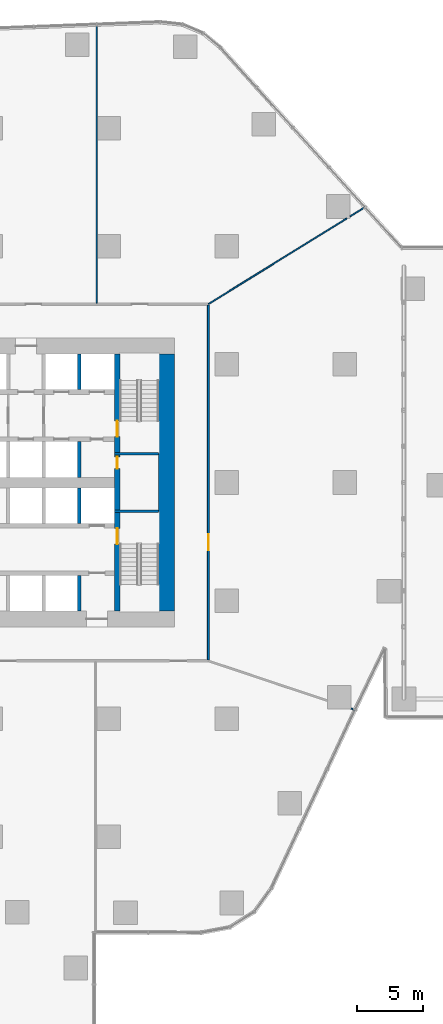
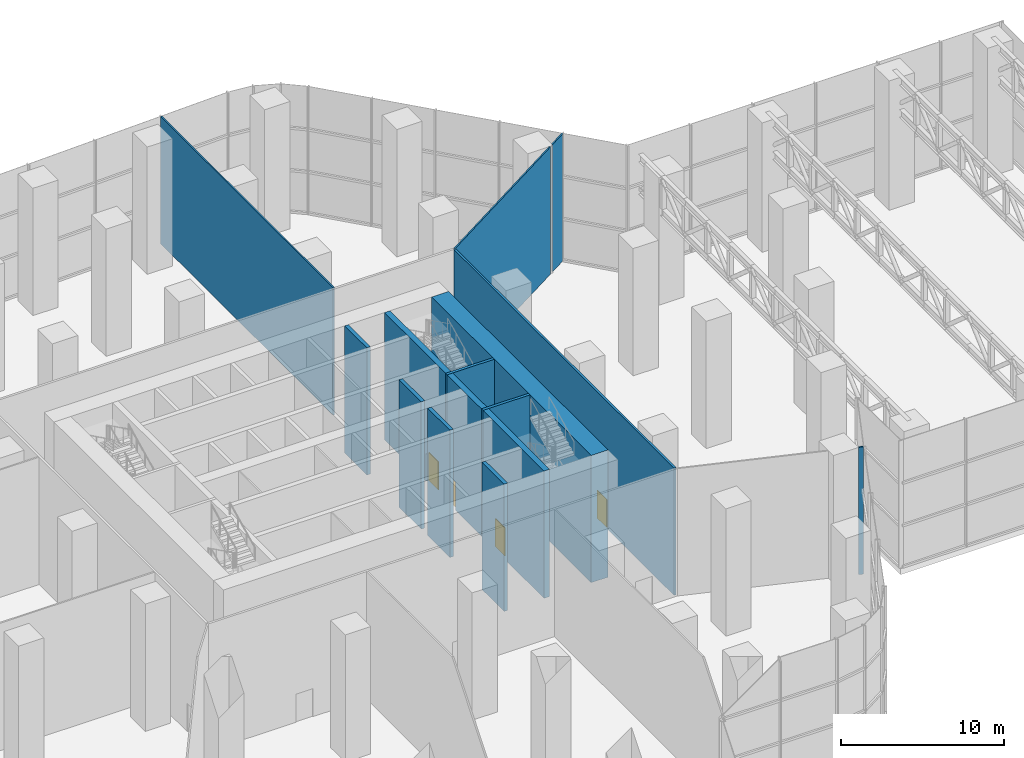
# One storey, part 18 of 21: 15 walls, 4 doors, 4 openings.
"""IFC4 building model written with IfcOpenShell, lengths in metres."""

from ifc_helpers import new_model, si_unit, direction, frame, frame_2d, origin, place, context, subcontext, project, spatial, rectangle, extrude, material, layer, layer_set, type_object, element, fill, save


model = new_model("IFC4")

# Units and contexts
model_context = context("Model", 3, precision=1e-05, world=origin(), true_north=direction((0.0, 1.0)))
body_context = subcontext(model_context, "Body", "Model", "MODEL_VIEW")
ifc_project = project(units=[si_unit("LENGTHUNIT", "METRE"), si_unit("AREAUNIT", "SQUARE_METRE"), si_unit("VOLUMEUNIT", "CUBIC_METRE"), si_unit("PLANEANGLEUNIT", "RADIAN"), si_unit("MASSUNIT", "GRAM", prefix="KILO")], contexts=[model_context])

# Site, building, storey
site_placement = place(None, origin())
site = spatial("IfcSite", under=ifc_project, at=site_placement, CompositionType="ELEMENT")
building_placement = place(site_placement, origin())
building = spatial("IfcBuilding", under=site, at=building_placement, Name="Dongbaek Canopy Tower", CompositionType="ELEMENT")
storey_placement = place(building_placement, frame((0.0, 0.0, 9.0)))
storey = spatial("IfcBuildingStorey", under=building, at=storey_placement, Name="L01", CompositionType="ELEMENT", Elevation=9.0)

# Wall
ifc_material_1 = material(Name="Concrete C60/75", Category="concrete")
ifc_layer_1 = layer(ifc_material_1, 1.199951171875)
ifc_layer_set_1 = layer_set([ifc_layer_1], Name="Core outer wall 1200 Concrete C60/75")
wall_type_1 = type_object("IfcWallType", Name="Core outer wall 1200 Concrete C60/75", PredefinedType="SHEAR", material=ifc_layer_set_1)
wall_1_placement = place(storey_placement, frame((13.39990234375, 9.800048828125, 0.0), z_axis=(0.0, 0.0, 1.0), x_axis=(0.0, -1.0, 0.0)))
element("IfcWall", 1, at=wall_1_placement, inside=storey, type_object=wall_type_1, Name="Core wall", PredefinedType="SHEAR", context=body_context, shape_type="SweptSolid", body=[
    extrude(rectangle(XDim=19.60009765625, YDim=1.199951171875, at=frame_2d((9.800048828125, 0.0))), origin(), (0.0, 0.0, 1.0), 9.550048828125),
])

# Wall, opening, door
ifc_material_2 = material(Name="Gypsum board partition, steel stud, 2 x 15 mm fire board", Category="steel")
ifc_layer_2 = layer(ifc_material_2, 0.14990234375)
ifc_layer_set_2 = layer_set([ifc_layer_2], Name="Fire-rated partition 150 gypsum board")
wall_type_2 = type_object("IfcWallType", Name="Fire-rated partition 150 gypsum board", PredefinedType="PARTITIONING", material=ifc_layer_set_2)
wall_2_placement = place(storey_placement, frame((16.60009765625, 13.52490234375, 0.0), z_axis=(0.0, 0.0, 1.0), x_axis=(0.0, -1.0, 0.0)))
wall_2 = element("IfcWall", 2, at=wall_2_placement, inside=storey, type_object=wall_type_2, Name="Corridor partition", PredefinedType="PARTITIONING", context=body_context, shape_type="SweptSolid", body=[
    extrude(rectangle(XDim=27.0498046875, YDim=0.14990234375, at=frame_2d((13.52490234375, 0.0))), origin(), (0.0, 0.0, 1.0), 9.550048828125),
])
opening_1_placement = place(wall_2_placement, frame((17.482177734375, 0.0, 0.0)))
opening_1 = element("IfcOpeningElement", 3, at=opening_1_placement, cuts=wall_2, Name="Opening L01-D006", PredefinedType="OPENING", context=body_context, shape_type="SweptSolid", body=[
    extrude(rectangle(XDim=1.199951171875, YDim=2.10009765625, at=frame_2d((0.60009765625, 1.050048828125))), frame((0.0, 0.0849609375, 0.0), z_axis=(0.0, -1.0, 0.0), x_axis=(1.0, 0.0, 0.0)), (0.0, 0.0, 1.0), 0.169921875),
])
ifc_material_3 = material(Name="Timber veneered door leaf", Category="wood")
door_type_1 = type_object("IfcDoorType", Name="Room door 1200 x 2100", OperationType="SINGLE_SWING_LEFT", PredefinedType="DOOR", material=ifc_material_3)
door_1_placement = place(opening_1_placement, origin())
door_1 = element("IfcDoor", 4, at=door_1_placement, inside=storey, type_object=door_type_1, Name="Door L01-D006", OperationType="SINGLE_SWING_LEFT", OverallHeight=2.10009765625, OverallWidth=1.199951171875, PredefinedType="DOOR", context=body_context, shape_type="SweptSolid", body=[
    extrude(rectangle(XDim=1.199951171875, YDim=2.10009765625, at=frame_2d((0.60009765625, 1.050048828125))), frame((0.0, 0.02490234375, 0.0), z_axis=(0.0, -1.0, 0.0), x_axis=(1.0, 0.0, 0.0)), (0.0, 0.0, 1.0), 0.050048828125),
])
fill(opening_1, door_1)

# Walls
ifc_material_4 = material(Name="Concrete C40/50", Category="concrete")
ifc_layer_3 = layer(ifc_material_4, 0.25)
ifc_layer_set_3 = layer_set([ifc_layer_3], Name="Lift shaft wall 250 Concrete C40/50")
wall_type_3 = type_object("IfcWallType", Name="Lift shaft wall 250 Concrete C40/50", PredefinedType="SOLIDWALL", material=ifc_layer_set_3)
for number, where, z_axis, x_axis, name in (
    (5, (6.75, -9.800048828125, 0.0), (0.0, 0.0, 1.0), (0.0, 1.0, 0.0), "Lift shaft wall"),
    (6, (6.75, -3.125, 0.0), (0.0, 0.0, 1.0), (0.0, 1.0, 0.0), "Lift shaft wall"),
    (7, (6.75, 0.39990234375, 0.0), (0.0, 0.0, 1.0), (0.0, 1.0, 0.0), "Lift shaft wall"),
    (8, (6.75, 7.074951171875, 0.0), (0.0, 0.0, 1.0), (0.0, 1.0, 0.0), "Lift shaft wall"),
):
    element("IfcWall", number, at=place(storey_placement, frame(where, z_axis=z_axis, x_axis=x_axis)), inside=storey, type_object=wall_type_3, Name=name, PredefinedType="SOLIDWALL", context=body_context, shape_type="SweptSolid", body=[
        extrude(rectangle(XDim=2.72509765625, YDim=0.25, at=frame_2d((1.362548828125, 0.0))), origin(), (0.0, 0.0, 1.0), 9.550048828125),
    ])
ifc_material_5 = material(Name="Gypsum board partition, steel stud, 2 x 12.5 mm board", Category="steel")
ifc_layer_4 = layer(ifc_material_5, 0.10009765625)
ifc_layer_set_4 = layer_set([ifc_layer_4], Name="Partition 100 gypsum board")
wall_type_4 = type_object("IfcWallType", Name="Partition 100 gypsum board", PredefinedType="PARTITIONING", material=ifc_layer_set_4)
wall_3_placement = place(storey_placement, frame((16.60009765625, 13.60009765625, 0.0), z_axis=(0.0, 0.0, 1.0), x_axis=(0.850261790898, 0.526360035469, 0.0)))
element("IfcWall", 9, at=wall_3_placement, inside=storey, type_object=wall_type_4, Name="Partition", PredefinedType="PARTITIONING", context=body_context, shape_type="SweptSolid", body=[
    extrude(rectangle(XDim=12.40380859375, YDim=0.10009765625, at=frame_2d((6.201904296875, 0.0))), origin(), (0.0, 0.0, 1.0), 9.550048828125),
])
wall_4_placement = place(storey_placement, frame((27.382080078125, 20.27490234375, 0.0), z_axis=(0.0, 0.0, 1.0), x_axis=(0.850241855485, 0.526392237008, 0.0)))
element("IfcWall", 10, at=wall_4_placement, inside=storey, type_object=wall_type_4, Name="Partition", PredefinedType="PARTITIONING", context=body_context, shape_type="SweptSolid", body=[
    extrude(rectangle(XDim=1.34033203125, YDim=0.10009765625, at=frame_2d((0.670166015625, 0.0))), origin(), (0.0, 0.0, 1.0), 9.550048828125),
])
wall_5_placement = place(storey_placement, frame((8.094970703125, 13.675048828125, 0.0), z_axis=(0.0, 0.0, 1.0), x_axis=(0.0, 1.0, 0.0)))
element("IfcWall", 11, at=wall_5_placement, inside=storey, type_object=wall_type_4, Name="Partition", PredefinedType="PARTITIONING", context=body_context, shape_type="SweptSolid", body=[
    extrude(rectangle(XDim=21.212646484375, YDim=0.10009765625, at=frame_2d((10.6064453125, 0.0))), origin(), (0.0, 0.0, 1.0), 9.550048828125),
])
wall_6_placement = place(storey_placement, frame((27.47607421875, -17.223876953125, 0.0), z_axis=(0.0, 0.0, 1.0), x_axis=(0.948845092647, -0.31574196769, 0.0)))
element("IfcWall", 12, at=wall_6_placement, inside=storey, type_object=wall_type_4, Name="Partition", PredefinedType="PARTITIONING", context=body_context, shape_type="SweptSolid", body=[
    extrude(rectangle(XDim=0.301513671875, YDim=0.10009765625, at=frame_2d((0.15087890625, 0.0))), origin(), (0.0, 0.0, 1.0), 9.550048828125),
])
ifc_material_6 = material(Name="Concrete C60/75", Category="concrete")
ifc_layer_5 = layer(ifc_material_6, 0.199951171875)
ifc_layer_set_5 = layer_set([ifc_layer_5], Name="Riser wall 200 Concrete C60/75")
wall_type_5 = type_object("IfcWallType", Name="Riser wall 200 Concrete C60/75", PredefinedType="SHEAR", material=ifc_layer_set_5)
for number, where, z_axis, x_axis, name in (
    (13, (9.449951171875, 2.199951171875, 0.0), (0.0, 0.0, 1.0), (1.0, 0.0, 0.0), "Riser wall"),
    (14, (9.449951171875, -2.199951171875, 0.0), (0.0, 0.0, 1.0), (1.0, 0.0, 0.0), "Riser wall"),
):
    element("IfcWall", number, at=place(storey_placement, frame(where, z_axis=z_axis, x_axis=x_axis)), inside=storey, type_object=wall_type_5, Name=name, PredefinedType="SHEAR", context=body_context, shape_type="SweptSolid", body=[
        extrude(rectangle(XDim=3.35009765625, YDim=0.199951171875, at=frame_2d((1.675048828125, 0.0))), origin(), (0.0, 0.0, 1.0), 9.550048828125),
    ])

# Wall, opening, door
ifc_material_7 = material(Name="Concrete C60/75", Category="concrete")
ifc_layer_6 = layer(ifc_material_7, 0.39990234375)
ifc_layer_set_6 = layer_set([ifc_layer_6], Name="Stair wall 400 Concrete C60/75")
wall_type_6 = type_object("IfcWallType", Name="Stair wall 400 Concrete C60/75", PredefinedType="SHEAR", material=ifc_layer_set_6)
wall_7_placement = place(storey_placement, frame((9.64990234375, -2.300048828125, 0.0), z_axis=(0.0, 0.0, 1.0), x_axis=(0.0, -1.0, 0.0)))
wall_7 = element("IfcWall", 15, at=wall_7_placement, inside=storey, type_object=wall_type_6, Name="Stair wall", PredefinedType="SHEAR", context=body_context, shape_type="SweptSolid", body=[
    extrude(rectangle(XDim=7.5, YDim=0.39990234375, at=frame_2d((3.75, 0.0))), origin(), (0.0, 0.0, 1.0), 9.550048828125),
])
opening_2_placement = place(wall_7_placement, frame((1.199951171875, 0.0, 0.0)))
opening_2 = element("IfcOpeningElement", 16, at=opening_2_placement, cuts=wall_7, Name="Opening L01-D037", PredefinedType="OPENING", context=body_context, shape_type="SweptSolid", body=[
    extrude(rectangle(XDim=1.199951171875, YDim=2.10009765625, at=frame_2d((0.60009765625, 1.050048828125))), frame((0.0, 0.2099609375, 0.0), z_axis=(0.0, -1.0, 0.0), x_axis=(1.0, 0.0, 0.0)), (0.0, 0.0, 1.0), 0.419921875),
])
ifc_material_8 = material(Name="Steel", Category="steel")
door_type_2 = type_object("IfcDoorType", Name="Stair door 1200 x 2100", OperationType="SINGLE_SWING_LEFT", PredefinedType="DOOR", material=ifc_material_8)
door_2_placement = place(opening_2_placement, origin())
door_2 = element("IfcDoor", 17, at=door_2_placement, inside=storey, type_object=door_type_2, Name="Stair B door", OperationType="SINGLE_SWING_RIGHT", OverallHeight=2.10009765625, OverallWidth=1.199951171875, PredefinedType="DOOR", context=body_context, shape_type="SweptSolid", body=[
    extrude(rectangle(XDim=1.199951171875, YDim=2.10009765625, at=frame_2d((0.60009765625, 1.050048828125))), frame((0.0, 0.02490234375, 0.0), z_axis=(0.0, -1.0, 0.0), x_axis=(1.0, 0.0, 0.0)), (0.0, 0.0, 1.0), 0.050048828125),
])
fill(opening_2, door_2)

wall_8_placement = place(storey_placement, frame((9.64990234375, 2.10009765625, 0.0), z_axis=(0.0, 0.0, 1.0), x_axis=(0.0, -1.0, 0.0)))
wall_8 = element("IfcWall", 18, at=wall_8_placement, inside=storey, type_object=wall_type_6, Name="Stair wall", PredefinedType="SHEAR", context=body_context, shape_type="SweptSolid", body=[
    extrude(rectangle(XDim=4.2001953125, YDim=0.39990234375, at=frame_2d((2.10009765625, 0.0))), origin(), (0.0, 0.0, 1.0), 9.550048828125),
])
opening_3_placement = place(wall_8_placement, frame((0.14990234375, 0.0, 0.0)))
opening_3 = element("IfcOpeningElement", 19, at=opening_3_placement, cuts=wall_8, Name="Opening L01-D010", PredefinedType="OPENING", context=body_context, shape_type="SweptSolid", body=[
    extrude(rectangle(XDim=0.89990234375, YDim=2.10009765625, at=frame_2d((0.449951171875, 1.050048828125))), frame((0.0, 0.2099609375, 0.0), z_axis=(0.0, -1.0, 0.0), x_axis=(1.0, 0.0, 0.0)), (0.0, 0.0, 1.0), 0.419921875),
])
ifc_material_9 = material(Name="Steel", Category="steel")
door_type_3 = type_object("IfcDoorType", Name="Core room door 900 x 2100", OperationType="SINGLE_SWING_LEFT", PredefinedType="DOOR", material=ifc_material_9)
door_3_placement = place(opening_3_placement, origin())
door_3 = element("IfcDoor", 20, at=door_3_placement, inside=storey, type_object=door_type_3, Name="Door L01-D010", OperationType="SINGLE_SWING_RIGHT", OverallHeight=2.10009765625, OverallWidth=0.89990234375, PredefinedType="DOOR", context=body_context, shape_type="SweptSolid", body=[
    extrude(rectangle(XDim=0.89990234375, YDim=2.10009765625, at=frame_2d((0.449951171875, 1.050048828125))), frame((0.0, 0.02490234375, 0.0), z_axis=(0.0, -1.0, 0.0), x_axis=(1.0, 0.0, 0.0)), (0.0, 0.0, 1.0), 0.050048828125),
])
fill(opening_3, door_3)

wall_9_placement = place(storey_placement, frame((9.64990234375, 9.800048828125, 0.0), z_axis=(0.0, 0.0, 1.0), x_axis=(0.0, -1.0, 0.0)))
wall_9 = element("IfcWall", 21, at=wall_9_placement, inside=storey, type_object=wall_type_6, Name="Stair wall", PredefinedType="SHEAR", context=body_context, shape_type="SweptSolid", body=[
    extrude(rectangle(XDim=7.5, YDim=0.39990234375, at=frame_2d((3.75, 0.0))), origin(), (0.0, 0.0, 1.0), 9.550048828125),
])
opening_4_placement = place(wall_9_placement, frame((5.10009765625, 0.0, 0.0)))
opening_4 = element("IfcOpeningElement", 22, at=opening_4_placement, cuts=wall_9, Name="Opening L01-D035", PredefinedType="OPENING", context=body_context, shape_type="SweptSolid", body=[
    extrude(rectangle(XDim=1.199951171875, YDim=2.10009765625, at=frame_2d((0.60009765625, 1.050048828125))), frame((0.0, 0.2099609375, 0.0), z_axis=(0.0, -1.0, 0.0), x_axis=(1.0, 0.0, 0.0)), (0.0, 0.0, 1.0), 0.419921875),
])
door_4_placement = place(opening_4_placement, origin())
door_4 = element("IfcDoor", 23, at=door_4_placement, inside=storey, type_object=door_type_2, Name="Stair A door", OperationType="SINGLE_SWING_LEFT", OverallHeight=2.10009765625, OverallWidth=1.199951171875, PredefinedType="DOOR", context=body_context, shape_type="SweptSolid", body=[
    extrude(rectangle(XDim=1.199951171875, YDim=2.10009765625, at=frame_2d((0.60009765625, 1.050048828125))), frame((0.0, 0.02490234375, 0.0), z_axis=(0.0, -1.0, 0.0), x_axis=(1.0, 0.0, 0.0)), (0.0, 0.0, 1.0), 0.050048828125),
])
fill(opening_4, door_4)

save(model, "model.ifc")
